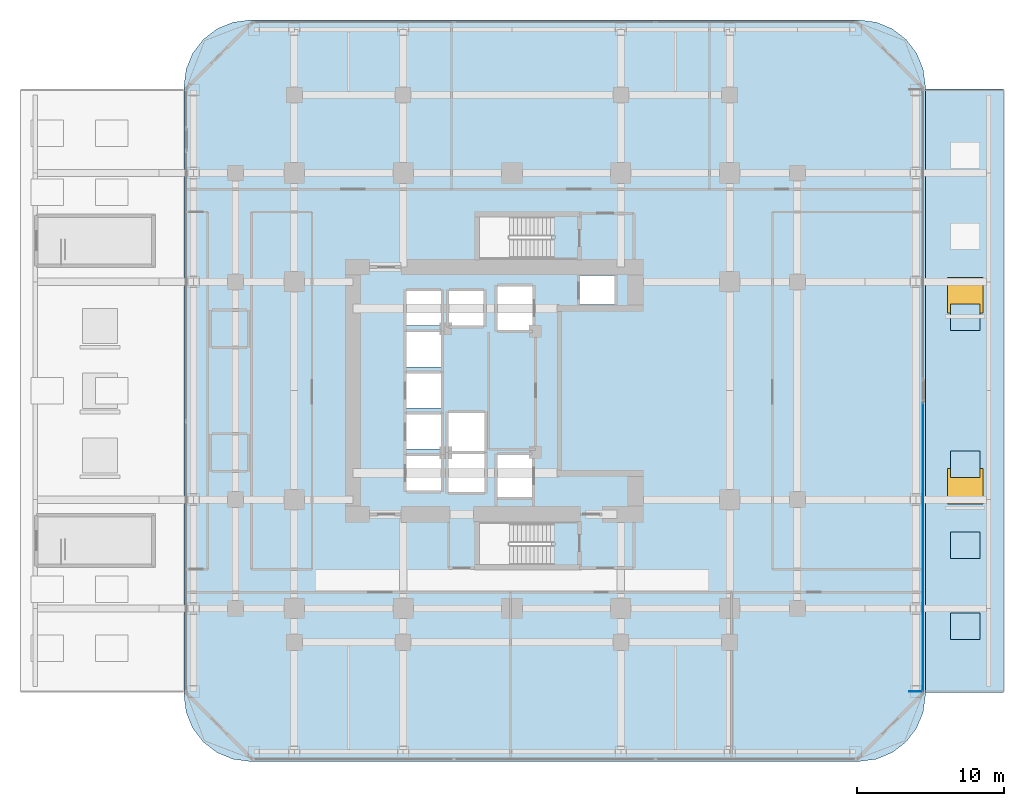
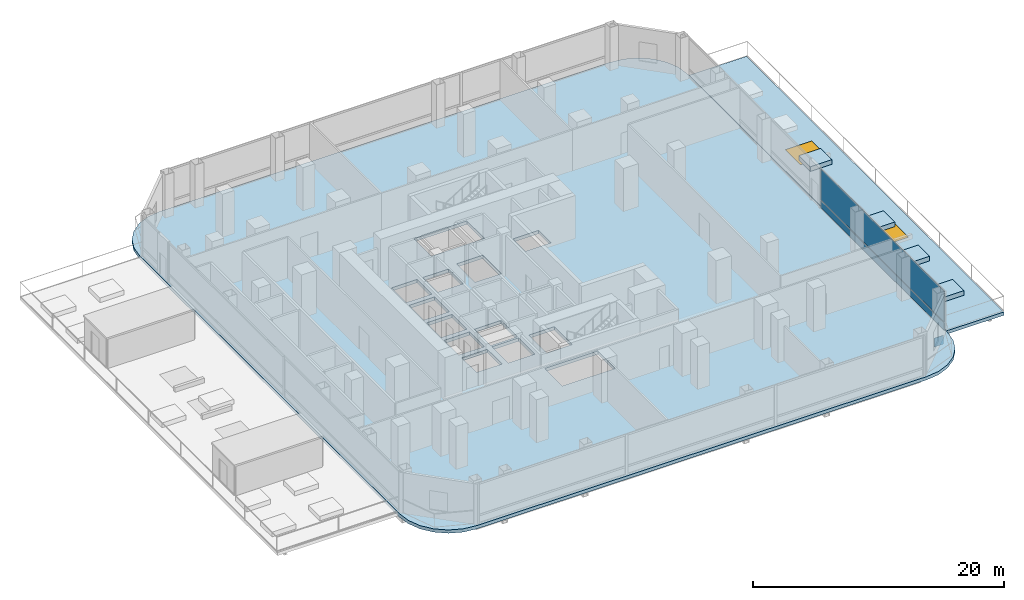
# One storey, part 21 of 29: 6 slabs, 3 plates, 2 windows, 2 openings, 1 element without a shape of its own.
"""IFC4 building model written with IfcOpenShell, lengths in metres."""

from ifc_helpers import new_model, si_unit, direction, frame, origin, origin_2d, place, context, subcontext, project, spatial, polyline, rectangle, outline, extrude, material, layer, layer_set, type_object, element, fill, aggregate, save


model = new_model("IFC4")

# Units and contexts
model_context = context("Model", 3, precision=1e-05, world=origin(), true_north=direction((0.0, 1.0)))
body_context = subcontext(model_context, "Body", "Model", "MODEL_VIEW")
ifc_project = project(units=[si_unit("LENGTHUNIT", "METRE"), si_unit("AREAUNIT", "SQUARE_METRE"), si_unit("VOLUMEUNIT", "CUBIC_METRE"), si_unit("PLANEANGLEUNIT", "RADIAN"), si_unit("MASSUNIT", "GRAM", prefix="KILO")], contexts=[model_context])

# Site, building, storey
site_placement = place(None, origin())
site = spatial("IfcSite", under=ifc_project, at=site_placement, CompositionType="ELEMENT")
building_placement = place(site_placement, origin())
building = spatial("IfcBuilding", under=site, at=building_placement, Name="Khorvyn Point Tower", CompositionType="ELEMENT")
storey_placement = place(building_placement, frame((0.0, 0.0, 26.39990234375)))
storey = spatial("IfcBuildingStorey", under=building, at=storey_placement, Name="L07", CompositionType="ELEMENT", Elevation=26.39990234375)

# Slabs
ifc_material_1 = material(Name="Concrete C35/45", Category="concrete")
ifc_layer_1 = layer(ifc_material_1, 0.449951171875)
ifc_layer_set_1 = layer_set([ifc_layer_1], Name="Concrete C35/45 Structural Garden Planter 450")
slab_type_1 = type_object("IfcSlabType", Name="Concrete C35/45 Structural Garden Planter 450", PredefinedType="USERDEFINED", material=ifc_layer_set_1)
slab_1_placement = place(storey_placement, origin())
element("IfcSlab", 1, at=slab_1_placement, inside=storey, type_object=slab_type_1, Name="L07 East Botanical Garden Planter 11", ObjectType="PLANTER", PredefinedType="USERDEFINED", context=body_context, shape_type="SweptSolid", body=[
    extrude(outline(polyline([(29.800048828125, -16.89990234375), (31.800048828125, -16.89990234375), (31.800048828125, -15.10009765625), (29.800048828125, -15.10009765625), (29.800048828125, -16.89990234375)])), origin(), (0.0, 0.0, 1.0), 0.4501953125),
])
slab_2_placement = place(storey_placement, origin())
element("IfcSlab", 2, at=slab_2_placement, inside=storey, type_object=slab_type_1, Name="L07 East Botanical Garden Planter 12", ObjectType="PLANTER", PredefinedType="USERDEFINED", context=body_context, shape_type="SweptSolid", body=[
    extrude(outline(polyline([(29.800048828125, -11.39990234375), (31.800048828125, -11.39990234375), (31.800048828125, -9.60009765625), (29.800048828125, -9.60009765625), (29.800048828125, -11.39990234375)])), origin(), (0.0, 0.0, 1.0), 0.4501953125),
])
slab_3_placement = place(storey_placement, origin())
element("IfcSlab", 3, at=slab_3_placement, inside=storey, type_object=slab_type_1, Name="L07 East Botanical Garden Planter 13", ObjectType="PLANTER", PredefinedType="USERDEFINED", context=body_context, shape_type="SweptSolid", body=[
    extrude(outline(polyline([(29.800048828125, -5.89990234375), (31.800048828125, -5.89990234375), (31.800048828125, -4.10009765625), (29.800048828125, -4.10009765625), (29.800048828125, -5.89990234375)])), origin(), (0.0, 0.0, 1.0), 0.4501953125),
])
slab_4_placement = place(storey_placement, origin())
element("IfcSlab", 4, at=slab_4_placement, inside=storey, type_object=slab_type_1, Name="L07 East Botanical Garden Planter 14", ObjectType="PLANTER", PredefinedType="USERDEFINED", context=body_context, shape_type="SweptSolid", body=[
    extrude(outline(polyline([(29.800048828125, 4.10009765625), (31.800048828125, 4.10009765625), (31.800048828125, 5.89990234375), (29.800048828125, 5.89990234375), (29.800048828125, 4.10009765625)])), origin(), (0.0, 0.0, 1.0), 0.4501953125),
])

# Slab, openings, windows
ifc_material_2 = material(Name="Concrete C40/50", Category="concrete")
ifc_layer_2 = layer(ifc_material_2, 0.300048828125)
ifc_layer_set_2 = layer_set([ifc_layer_2], Name="Concrete C40/50 Botanical Garden Roof Slab 300")
slab_type_2 = type_object("IfcSlabType", Name="Concrete C40/50 Botanical Garden Roof Slab 300", PredefinedType="ROOF", material=ifc_layer_set_2)
slab_5_placement = place(storey_placement, frame((0.0, 0.0, -0.31982421875)))
slab_5 = element("IfcSlab", 5, at=slab_5_placement, inside=storey, type_object=slab_type_2, Name="L07 East Raised Botanical Garden Terrace", PredefinedType="ROOF", context=body_context, shape_type="SweptSolid", body=[
    extrude(outline(polyline([(28.1201171875, -20.5), (33.39990234375, -20.5), (33.39990234375, 20.5), (28.1201171875, 20.5), (28.1201171875, -20.5)])), origin(), (0.0, 0.0, 1.0), 0.31982421875),
])
opening_1_placement = place(slab_5_placement, frame((30.800048828125, -6.5, 0.0)))
opening_1 = element("IfcOpeningElement", 6, at=opening_1_placement, cuts=slab_5, Name="Opening SK-2424", PredefinedType="OPENING", context=body_context, shape_type="SweptSolid", body=[
    extrude(rectangle(XDim=2.39990234375, YDim=2.39990234375, at=origin_2d()), origin(), (0.0, 0.0, 1.0), 0.31982421875),
])
opening_2_placement = place(slab_5_placement, frame((30.800048828125, 6.5, 0.0)))
opening_2 = element("IfcOpeningElement", 7, at=opening_2_placement, cuts=slab_5, Name="Opening SK-2424", PredefinedType="OPENING", context=body_context, shape_type="SweptSolid", body=[
    extrude(rectangle(XDim=2.39990234375, YDim=2.39990234375, at=origin_2d()), origin(), (0.0, 0.0, 1.0), 0.31982421875),
])
ifc_material_3 = material(Name="Anodised aluminium 6063-T6 and laminated Low-E glass", Category="aluminium")
window_type = type_object("IfcWindowType", Name="Anodised Aluminium Laminated Safety-Glass Roof Skylight 2400x2400", PartitioningType="SINGLE_PANEL", PredefinedType="SKYLIGHT", material=ifc_material_3)
window_1_placement = place(opening_1_placement, frame((0.0, 0.0, 0.269775390625)))
window_1 = element("IfcWindow", 8, at=window_1_placement, inside=storey, type_object=window_type, Name="L07 Podium Classroom Roof Skylight 04", OverallHeight=2.39990234375, OverallWidth=2.39990234375, PartitioningType="SINGLE_PANEL", PredefinedType="SKYLIGHT", context=body_context, shape_type="SweptSolid", body=[
    extrude(rectangle(XDim=2.39990234375, YDim=2.39990234375, at=origin_2d()), origin(), (0.0, 0.0, 1.0), 0.050048828125),
])
fill(opening_1, window_1)
window_2_placement = place(opening_2_placement, frame((0.0, 0.0, 0.269775390625)))
window_2 = element("IfcWindow", 9, at=window_2_placement, inside=storey, type_object=window_type, Name="L07 Podium Classroom Roof Skylight 05", OverallHeight=2.39990234375, OverallWidth=2.39990234375, PartitioningType="SINGLE_PANEL", PredefinedType="SKYLIGHT", context=body_context, shape_type="SweptSolid", body=[
    extrude(rectangle(XDim=2.39990234375, YDim=2.39990234375, at=origin_2d()), origin(), (0.0, 0.0, 1.0), 0.050048828125),
])
fill(opening_2, window_2)

# Slab
ifc_material_4 = material(Name="Concrete C45/55", Category="concrete")
ifc_layer_3 = layer(ifc_material_4, 0.320068359375)
ifc_layer_set_3 = layer_set([ifc_layer_3], Name="Concrete C45/55 Structural Floor Slab 320")
slab_type_3 = type_object("IfcSlabType", Name="Concrete C45/55 Structural Floor Slab 320", PredefinedType="FLOOR", material=ifc_layer_set_3)
slab_6_placement = place(storey_placement, frame((0.0, 0.0, -0.31982421875)))
element("IfcSlab", 10, at=slab_6_placement, inside=storey, type_object=slab_type_3, Name="L07 Main Structural Floor Slab", PredefinedType="FLOOR", context=body_context, shape_type="SweptSolid", body=[
    extrude(outline(polyline([(-17.800048828125, -25.199951171875), (-18.964599609375, -25.046630859375), (-20.050048828125, -24.59716796875), (-20.98193359375, -23.882080078125), (-21.697021484375, -22.949951171875), (-22.146728515625, -21.86474609375), (-22.300048828125, -20.699951171875), (-22.300048828125, 20.699951171875), (-22.146728515625, 21.86474609375), (-21.697021484375, 22.949951171875), (-20.98193359375, 23.882080078125), (-20.050048828125, 24.59716796875), (-18.964599609375, 25.046630859375), (-17.800048828125, 25.199951171875), (23.60009765625, 25.199951171875), (24.7646484375, 25.046630859375), (25.85009765625, 24.59716796875), (26.781982421875, 23.882080078125), (27.4970703125, 22.949951171875), (27.94677734375, 21.86474609375), (28.10009765625, 20.699951171875), (28.10009765625, -20.699951171875), (27.94677734375, -21.86474609375), (27.4970703125, -22.949951171875), (26.781982421875, -23.882080078125), (25.85009765625, -24.59716796875), (24.7646484375, -25.046630859375), (23.60009765625, -25.199951171875), (-17.800048828125, -25.199951171875)]), holes=[polyline([(-4.824951171875, -6.77490234375), (-4.824951171875, -4.425048828125), (-7.175048828125, -4.425048828125), (-7.175048828125, -6.77490234375), (-4.824951171875, -6.77490234375)]), polyline([(-4.324951171875, -6.89990234375), (-1.875, -6.89990234375), (-1.875, -4.300048828125), (-4.324951171875, -4.300048828125), (-4.324951171875, -6.89990234375)]), polyline([(-7.175048828125, -3.97509765625), (-4.824951171875, -3.97509765625), (-4.824951171875, -1.625), (-7.175048828125, -1.625), (-7.175048828125, -3.97509765625)]), polyline([(-4.824951171875, -1.175048828125), (-4.824951171875, 1.175048828125), (-7.175048828125, 1.175048828125), (-7.175048828125, -1.175048828125), (-4.824951171875, -1.175048828125)]), polyline([(-7.175048828125, 1.625), (-4.824951171875, 1.625), (-4.824951171875, 3.97509765625), (-7.175048828125, 3.97509765625), (-7.175048828125, 1.625)]), polyline([(-7.175048828125, 4.425048828125), (-4.824951171875, 4.425048828125), (-4.824951171875, 6.77490234375), (-7.175048828125, 6.77490234375), (-7.175048828125, 4.425048828125)]), polyline([(-1.925048828125, 4.425048828125), (-1.925048828125, 6.77490234375), (-4.27490234375, 6.77490234375), (-4.27490234375, 4.425048828125), (-1.925048828125, 4.425048828125)]), polyline([(-2.199951171875, -11.820068359375), (2.679931640625, -11.820068359375), (2.679931640625, -9.02001953125), (-2.199951171875, -9.02001953125), (-2.199951171875, -11.820068359375)]), polyline([(-0.97509765625, -7.22509765625), (1.375, -7.22509765625), (1.375, -4.375), (-0.97509765625, -4.375), (-0.97509765625, -7.22509765625)]), polyline([(-4.324951171875, -4.10009765625), (-1.875, -4.10009765625), (-1.875, -1.5), (-4.324951171875, -1.5), (-4.324951171875, -4.10009765625)]), polyline([(-1.0, 4.125), (1.39990234375, 4.125), (1.39990234375, 7.074951171875), (-1.0, 7.074951171875), (-1.0, 4.125)]), polyline([(4.625, 5.85009765625), (6.97509765625, 5.85009765625), (6.97509765625, 7.830078125), (4.625, 7.830078125), (4.625, 5.85009765625)]), polyline([(-2.199951171875, 9.02001953125), (2.679931640625, 9.02001953125), (2.679931640625, 11.820068359375), (-2.199951171875, 11.820068359375), (-2.199951171875, 9.02001953125)])]), origin(), (0.0, 0.0, 1.0), 0.31982421875),
])

# Curtain wall, plate
ifc_layer_4 = layer(ifc_material_3, 0.18994140625)
ifc_layer_set_4 = layer_set([ifc_layer_4], Name="Stick-Built Finned Residential Curtain Wall CW-SYS-02")
curtain_wall_type = type_object("IfcCurtainWallType", Name="Stick-Built Finned Residential Curtain Wall CW-SYS-02", PredefinedType="NOTDEFINED", material=ifc_layer_set_4)
curtain_wall_placement = place(storey_placement, origin())
curtain_wall = element("IfcCurtainWall", 11, at=curtain_wall_placement, inside=storey, type_object=curtain_wall_type, Name="Curtain Wall", PredefinedType="NOTDEFINED")
ifc_material_5 = material(Name="Pale anodised aluminium 5005", Category="aluminium")
ifc_layer_5 = layer(ifc_material_5, 0.0400390625)
ifc_layer_set_5 = layer_set([ifc_layer_5], Name="Pale Champagne Aluminium Insulated Spandrel Panel CW-SP40")
plate_type_1 = type_object("IfcPlateType", Name="Pale Champagne Aluminium Insulated Spandrel Panel CW-SP40", PredefinedType="SHEET", material=ifc_layer_set_5)
plate_1_placement = place(storey_placement, frame((27.949951171875, -10.635009765625, 0.10009765625), z_axis=(0.0, 0.0, 1.0), x_axis=(0.0, -1.0, 0.0)))
plate_1 = element("IfcPlate", 12, at=plate_1_placement, type_object=plate_type_1, Name="Panel", PredefinedType="SHEET", context=body_context, shape_type="SweptSolid", body=[
    extrude(rectangle(XDim=19.6298828125, YDim=0.0400390625, at=origin_2d()), origin(), (0.0, 0.0, 1.0), 0.699951171875),
])

# Plate
ifc_material_6 = material(Name="Steel S450", Category="steel")
ifc_layer_6 = layer(ifc_material_6, 0.031982421875)
ifc_layer_set_6 = layer_set([ifc_layer_6], Name="Steel S450 Exoskeleton End Cap Plate 32")
plate_type_2 = type_object("IfcPlateType", Name="Steel S450 Exoskeleton End Cap Plate 32", PredefinedType="USERDEFINED", material=ifc_layer_set_6)
plate_2_placement = place(storey_placement, frame((27.449951171875, -20.4599609375, -1.2001953125), z_axis=(0.0, 0.0, 1.0), x_axis=(1.0, 0.0, 0.0)))
element("IfcPlate", 13, at=plate_2_placement, inside=storey, type_object=plate_type_2, Name="Plate", ObjectType="GUSSET", PredefinedType="USERDEFINED", context=body_context, shape_type="SweptSolid", body=[
    extrude(rectangle(XDim=0.860107421875, YDim=0.031982421875, at=origin_2d()), origin(), (0.0, 0.0, 1.0), 0.860107421875),
])

ifc_material_7 = material(Name="Laminated Low-E insulated glass", Category="glass")
ifc_layer_7 = layer(ifc_material_7, 0.028076171875)
ifc_layer_set_7 = layer_set([ifc_layer_7], Name="Tempered Low-E Vision Glazing Panel CW-GL28")
plate_type_3 = type_object("IfcPlateType", Name="Tempered Low-E Vision Glazing Panel CW-GL28", PredefinedType="CURTAIN_PANEL", material=ifc_layer_set_7)
plate_3_placement = place(storey_placement, frame((27.949951171875, -10.635009765625, 0.900146484375), z_axis=(0.0, 0.0, 1.0), x_axis=(0.0, -1.0, 0.0)))
plate_3 = element("IfcPlate", 14, at=plate_3_placement, type_object=plate_type_3, Name="Panel", PredefinedType="CURTAIN_PANEL", context=body_context, shape_type="SweptSolid", body=[
    extrude(rectangle(XDim=19.6298828125, YDim=0.028076171875, at=origin_2d()), origin(), (0.0, 0.0, 1.0), 2.97998046875),
])

aggregate(curtain_wall, [plate_1, plate_3])

save(model, "model.ifc")
